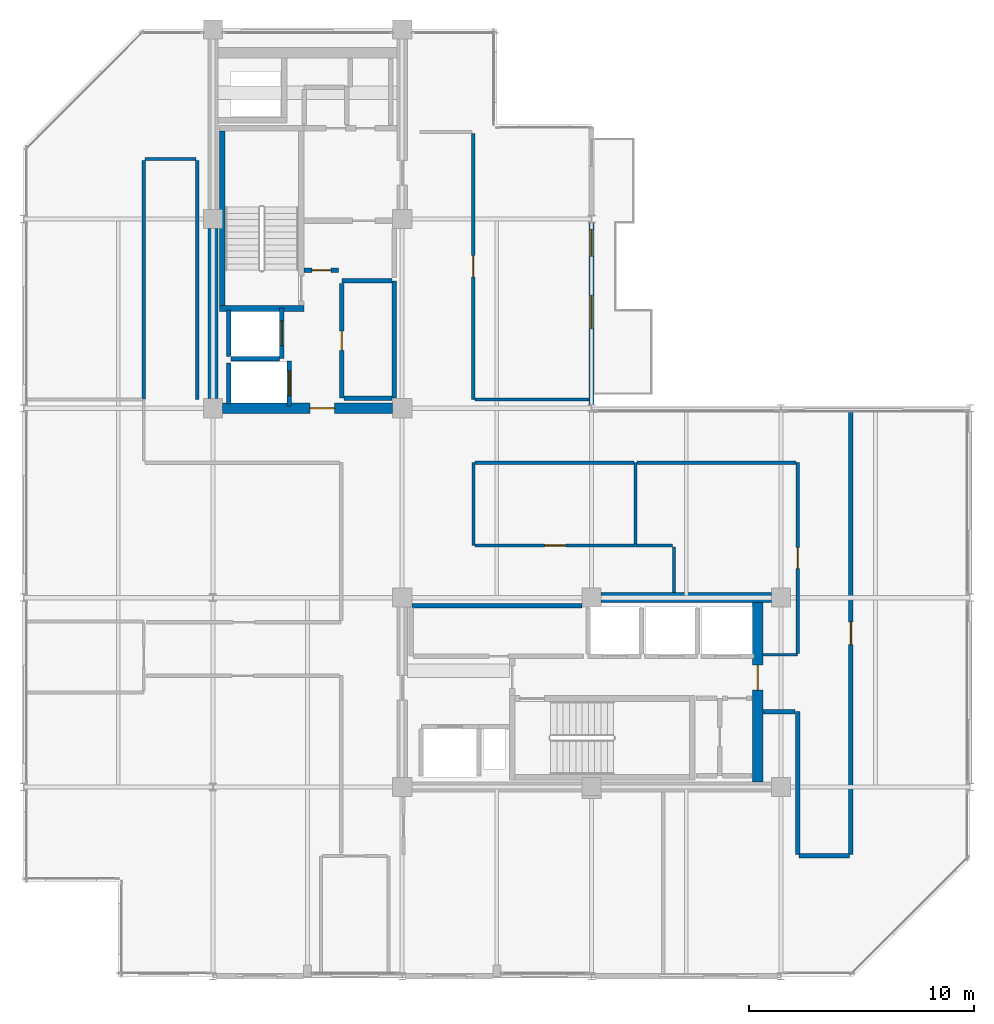
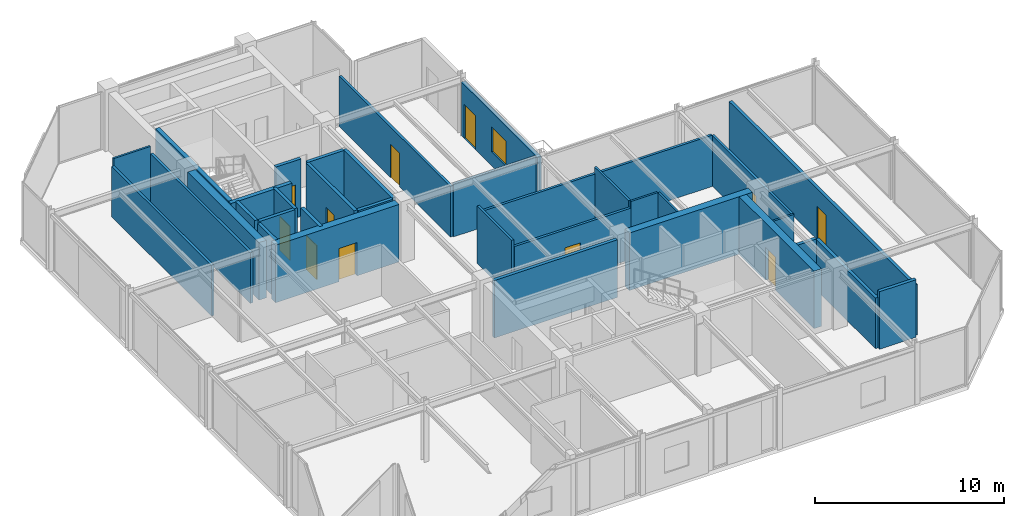
# One storey, part 22 of 26: 36 walls, 11 doors, 1 window, 12 openings.
"""IFC4 building model written with IfcOpenShell, lengths in metres."""

import ifcopenshell
import ifcopenshell.guid

model = None  # the IFC model being written
_history = None  # IfcOwnerHistory: only IFC2X3 demands one
_inside = {}  # id of a spatial element -> (the spatial element, [elements in it])
_under = {}  # id of a project, library or spatial element -> (it, [spatial elements below it])
_declared = {}  # id of a project -> (the project, [libraries it declares])
_typed = {}  # id of a type object -> (the type object, [elements of that type])
_made_of = {}  # id of a material, layer set ... -> (it, [elements and type objects made of it])


def new_model(schema):
    """Start an empty IFC model of exactly this schema.

    Asked for "IFC4X3", IfcOpenShell would pick the latest addendum, in which some entities
    have other attributes; the version numbers below select the first issue.
    IFC2X3 requires an IfcOwnerHistory on every rooted entity: one is made here for all.
    """
    global model, _history
    if schema == "IFC4X3":
        model = ifcopenshell.file(schema_version=(4, 3, 0, 0))
    else:
        model = ifcopenshell.file(schema=schema)
    _inside.clear()
    _under.clear()
    _declared.clear()
    _typed.clear()
    _made_of.clear()
    _history = None
    if model.schema == "IFC2X3":
        org = make("IfcOrganization", Name="unknown")
        user = make(
            "IfcPersonAndOrganization",
            ThePerson=make("IfcPerson", FamilyName="unknown"),
            TheOrganization=org,
        )
        app = make(
            "IfcApplication",
            ApplicationDeveloper=org,
            Version="unknown",
            ApplicationFullName="unknown",
            ApplicationIdentifier="unknown",
        )
        _history = make(
            "IfcOwnerHistory",
            OwningUser=user,
            OwningApplication=app,
            ChangeAction="ADDED",
            CreationDate=0,
        )
    return model


def make(cls, **values):
    """One entity of the class cls with the attributes given. An attribute that is None is left unset."""
    return model.create_entity(
        cls, **{name: value for name, value in values.items() if value is not None}
    )


def rooted(cls, **values):
    """An entity with a GlobalId (a new one), such as an element, a storey or a relation."""
    return make(cls, GlobalId=ifcopenshell.guid.new(), OwnerHistory=_history, **values)


def si_unit(unit_type, name, prefix=None):
    """IfcSIUnit, for example si_unit("LENGTHUNIT", "METRE", prefix="MILLI")."""
    return make("IfcSIUnit", UnitType=unit_type, Prefix=prefix, Name=name)


def assignment(units):
    """IfcUnitAssignment: the units of a project."""
    return None if units is None else make("IfcUnitAssignment", Units=units)


def point(xyz):
    """IfcCartesianPoint."""
    return None if xyz is None else make("IfcCartesianPoint", Coordinates=xyz)


def direction(xyz):
    """IfcDirection."""
    return None if xyz is None else make("IfcDirection", DirectionRatios=xyz)


def frame(location, z_axis=None, x_axis=None):
    """IfcAxis2Placement3D, a coordinate frame: its origin and axes. An axis left out is left unset."""
    return make(
        "IfcAxis2Placement3D",
        Location=point(location),
        Axis=direction(z_axis),
        RefDirection=direction(x_axis),
    )


def frame_2d(location, x_axis=None):
    """IfcAxis2Placement2D, a coordinate frame in the plane: its origin and x axis."""
    return make(
        "IfcAxis2Placement2D", Location=point(location), RefDirection=direction(x_axis)
    )


def origin():
    """The frame at (0, 0, 0) with its axes left unset."""
    return frame((0.0, 0.0, 0.0))


def place(relative_to, where):
    """IfcLocalPlacement: puts the frame where relative to a parent placement (None: the world)."""
    return make(
        "IfcLocalPlacement", PlacementRelTo=relative_to, RelativePlacement=where
    )


def context(
    kind, dimensions, precision=None, world=None, true_north=None, identifier=None
):
    """IfcGeometricRepresentationContext, for example the 3D "Model" context."""
    return make(
        "IfcGeometricRepresentationContext",
        ContextIdentifier=identifier,
        ContextType=kind,
        CoordinateSpaceDimension=dimensions,
        Precision=precision,
        WorldCoordinateSystem=world,
        TrueNorth=true_north,
    )


def subcontext(parent, identifier, kind, view, scale=None):
    """IfcGeometricRepresentationSubContext, for example "Body" below "Model"."""
    return make(
        "IfcGeometricRepresentationSubContext",
        ContextIdentifier=identifier,
        ContextType=kind,
        ParentContext=parent,
        TargetScale=scale,
        TargetView=view,
    )


def project(units=None, contexts=None):
    """IfcProject with its units and contexts."""
    return rooted(
        "IfcProject",
        Name="project",
        RepresentationContexts=contexts,
        UnitsInContext=assignment(units),
    )


def spatial(cls, under=None, at=None, **own):
    """A site, building, storey or space (cls), placed at a placement, below another one or the project."""
    s = rooted(cls, ObjectPlacement=at, **own)
    if under is not None:
        _under.setdefault(under.id(), (under, []))[1].append(s)
    return s


def profile(cls, at=None, kind="AREA", **sizes):
    """A parametric profile (cls). Its sizes go by their IFC names, for example OverallWidth=200.0."""
    return make(cls, ProfileType=kind, Position=at, **sizes)


def rectangle(**sizes):
    """IfcRectangleProfileDef."""
    return profile("IfcRectangleProfileDef", **sizes)


def extrude(swept, where, along, depth):
    """IfcExtrudedAreaSolid: the profile swept, set in the frame where, extruded along a direction by depth."""
    return make(
        "IfcExtrudedAreaSolid",
        SweptArea=swept,
        Position=where,
        ExtrudedDirection=direction(along),
        Depth=depth,
    )


def shape(context_of_items, identifier, shape_type, items):
    """IfcShapeRepresentation: the items that make up one representation, for example the "Body"."""
    return make(
        "IfcShapeRepresentation",
        ContextOfItems=context_of_items,
        RepresentationIdentifier=identifier,
        RepresentationType=shape_type,
        Items=items,
    )


def material(Name=None, Category=None):
    """IfcMaterial."""
    return make("IfcMaterial", Name=Name, Category=Category)


def layer(
    of_material, thickness, ventilated=None, Name=None, Category=None, Priority=None
):
    """IfcMaterialLayer: one layer of a wall or slab, of a material (None: an air gap)."""
    return make(
        "IfcMaterialLayer",
        Material=of_material,
        LayerThickness=thickness,
        IsVentilated=ventilated,
        Name=Name,
        Category=Category,
        Priority=Priority,
    )


def layer_set(layers, Name=None):
    """IfcMaterialLayerSet."""
    return make("IfcMaterialLayerSet", MaterialLayers=layers, LayerSetName=Name)


def made_of(thing, what):
    """Note that an element or type object is made of a material, layer set ...; save() writes the relation."""
    if what is not None:
        _made_of.setdefault(what.id(), (what, []))[1].append(thing)
    return thing


def type_object(cls, material=None, **own):
    """A type object (cls), such as IfcWallType, which elements share."""
    return made_of(rooted(cls, **own), material)


def element(
    cls,
    number,
    at=None,
    inside=None,
    cuts=None,
    type_object=None,
    material=None,
    context=None,
    identifier="Body",
    shape_type=None,
    held_by="IfcProductDefinitionShape",
    body=None,
    shapes=None,
    **own,
):
    """One element of the class cls, such as IfcWall. Its Tag is "e" and its number.

    at: its placement. inside: the storey or other place that contains it. cuts: it is an
    opening in that element (IfcRelVoidsElement). A single representation is given by context,
    identifier, shape_type and body (its items); several are given by shapes. held_by: the class
    of the entity that holds the representations. save() writes the other relations.
    """
    e = rooted(cls, Tag="e%d" % number, ObjectPlacement=at, **own)
    if body is not None:
        shapes = [shape(context, identifier, shape_type, body)]
    if shapes is not None:
        e.Representation = make(held_by, Representations=shapes)
    if inside is not None:
        _inside.setdefault(inside.id(), (inside, []))[1].append(e)
    if cuts is not None:
        rooted(
            "IfcRelVoidsElement", RelatingBuildingElement=cuts, RelatedOpeningElement=e
        )
    if type_object is not None:
        _typed.setdefault(type_object.id(), (type_object, []))[1].append(e)
    return made_of(e, material)


def fill(opening, filler):
    """IfcRelFillsElement: the door or window that sits in an opening."""
    return rooted(
        "IfcRelFillsElement",
        RelatingOpeningElement=opening,
        RelatedBuildingElement=filler,
    )


def aggregate(whole, parts):
    """IfcRelAggregates: a whole, such as a stair, and the parts it consists of."""
    return rooted("IfcRelAggregates", RelatingObject=whole, RelatedObjects=parts)


def save(model, path):
    """Write the relations noted so far, then the file.

    IfcRelAggregates (storeys below a building ...), IfcRelContainedInSpatialStructure (elements
    in a storey), IfcRelDefinesByType, IfcRelAssociatesMaterial and IfcRelDeclares: one each for
    every whole, place, type object, material and project.
    """
    for whole, parts in _under.values():
        aggregate(whole, parts)
    for where, things in _inside.values():
        rooted(
            "IfcRelContainedInSpatialStructure",
            RelatedElements=things,
            RelatingStructure=where,
        )
    for kind, things in _typed.values():
        rooted("IfcRelDefinesByType", RelatedObjects=things, RelatingType=kind)
    for what, things in _made_of.values():
        rooted("IfcRelAssociatesMaterial", RelatedObjects=things, RelatingMaterial=what)
    for by, libraries in _declared.values():
        rooted("IfcRelDeclares", RelatingContext=by, RelatedDefinitions=libraries)
    model.write(path)


model = new_model("IFC4")

# Units and contexts
model_context = context("Model", 3, precision=1e-05, world=origin(), true_north=direction((0.0, 1.0)))
body_context = subcontext(model_context, "Body", "Model", "MODEL_VIEW")
ifc_project = project(units=[si_unit("LENGTHUNIT", "METRE"), si_unit("AREAUNIT", "SQUARE_METRE"), si_unit("VOLUMEUNIT", "CUBIC_METRE"), si_unit("PLANEANGLEUNIT", "RADIAN"), si_unit("MASSUNIT", "GRAM", prefix="KILO")], contexts=[model_context])

# Site, building, storey
site_placement = place(None, origin())
site = spatial("IfcSite", under=ifc_project, at=site_placement, CompositionType="ELEMENT")
building_placement = place(site_placement, origin())
building = spatial("IfcBuilding", under=site, at=building_placement, Name="Nerrivon Quay Data Exchange", CompositionType="ELEMENT")
storey_placement = place(building_placement, frame((0.0, 0.0, 262.199951171875)))
storey = spatial("IfcBuildingStorey", under=building, at=storey_placement, Name="L62", CompositionType="ELEMENT", Elevation=262.199951171875)

# Wall, openings, door, window
ifc_material_1 = material(Name="Architectural terracotta precast concrete N50 (50 MPa)", Category="masonry")
ifc_layer_1 = layer(ifc_material_1, 0.239990234375)
ifc_layer_set_1 = layer_set([ifc_layer_1], Name="Architectural terracotta precast concrete N50 (50 MPa)")
wall_type_1 = type_object("IfcWallType", Name="EW-PREC-240", PredefinedType="STANDARD", material=ifc_layer_set_1)
wall_1_placement = place(storey_placement, frame((25.199951171875, 33.4365234375, 0.0), z_axis=(0.0, 0.0, 1.0), x_axis=(0.0, -1.0, 0.0)))
wall_1 = element("IfcWall", 1, at=wall_1_placement, inside=storey, type_object=wall_type_1, Name="L62 Terrace Host Wall 23", PredefinedType="STANDARD", context=body_context, shape_type="SweptSolid", body=[
    extrude(rectangle(XDim=8.072998046875, YDim=0.239990234375, at=frame_2d((4.03662109375, 0.0))), origin(), (0.0, 0.0, 1.0), 3.47509765625),
])
opening_1_placement = place(wall_1_placement, frame((0.300048828125, 0.0, 0.0)))
opening_1 = element("IfcOpeningElement", 2, at=opening_1_placement, cuts=wall_1, Name="Opening TD1", PredefinedType="OPENING", context=body_context, shape_type="SweptSolid", body=[
    extrude(rectangle(XDim=1.199951171875, YDim=2.199951171875, at=frame_2d((0.60009765625, 1.10009765625))), frame((0.0, 0.1298828125, 0.0), z_axis=(0.0, -1.0, 0.0), x_axis=(1.0, 0.0, 0.0)), (0.0, 0.0, 1.0), 0.260009765625),
])
opening_2_placement = place(wall_1_placement, frame((3.21435546875, 0.0, 0.89990234375)))
opening_2 = element("IfcOpeningElement", 3, at=opening_2_placement, cuts=wall_1, Name="Opening WN4", PredefinedType="OPENING", context=body_context, shape_type="SweptSolid", body=[
    extrude(rectangle(XDim=1.5, YDim=1.60009765625, at=frame_2d((0.75, 0.800048828125))), frame((0.0, 0.1298828125, 0.0), z_axis=(0.0, -1.0, 0.0), x_axis=(1.0, 0.0, 0.0)), (0.0, 0.0, 1.0), 0.260009765625),
])
ifc_material_2 = material(Name="Double-glazed low-E solar control glass", Category="glass")
door_type_1 = type_object("IfcDoorType", Name="DR-TERR-1200x2200", OperationType="NOTDEFINED", PredefinedType="DOOR", material=ifc_material_2)
door_1_placement = place(opening_1_placement, origin())
door_1 = element("IfcDoor", 4, at=door_1_placement, inside=storey, type_object=door_type_1, Name="L62 Outdoor Terrace Access Door 23", OperationType="SINGLE_SWING_RIGHT", OverallHeight=2.199951171875, OverallWidth=1.199951171875, PredefinedType="DOOR", context=body_context, shape_type="SweptSolid", body=[
    extrude(rectangle(XDim=1.199951171875, YDim=2.199951171875, at=frame_2d((0.60009765625, 1.10009765625))), frame((0.0, 0.02490234375, 0.0), z_axis=(0.0, -1.0, 0.0), x_axis=(1.0, 0.0, 0.0)), (0.0, 0.0, 1.0), 0.050048828125),
])
fill(opening_1, door_1)
window_type = type_object("IfcWindowType", Name="WIN-W4-1500x1600", PartitioningType="SINGLE_PANEL", PredefinedType="WINDOW", material=ifc_material_2)
window_placement = place(opening_2_placement, origin())
window = element("IfcWindow", 5, at=window_placement, inside=storey, type_object=window_type, Name="L62 Terrace Side Window 23", OverallHeight=1.60009765625, OverallWidth=1.5, PartitioningType="SINGLE_PANEL", PredefinedType="WINDOW", context=body_context, shape_type="SweptSolid", body=[
    extrude(rectangle(XDim=1.5, YDim=1.60009765625, at=frame_2d((0.75, 0.800048828125))), frame((0.0, 0.030029296875, 0.0), z_axis=(0.0, -1.0, 0.0), x_axis=(1.0, 0.0, 0.0)), (0.0, 0.0, 1.0), 0.06005859375),
])
fill(opening_2, window)

# Wall
ifc_material_3 = material(Name="Concrete N50 (50 MPa)", Category="concrete")
ifc_layer_2 = layer(ifc_material_3, 0.449951171875)
ifc_layer_set_2 = layer_set([ifc_layer_2], Name="Concrete N50 (50 MPa)")
wall_type_2 = type_object("IfcWallType", Name="WALL-CW-550", PredefinedType="SHEAR", material=ifc_layer_set_2)
wall_2_placement = place(storey_placement, frame((8.39990234375, 25.625, 0.0), z_axis=(0.0, 0.0, 1.0), x_axis=(0.0, 1.0, 0.0)))
element("IfcWall", 6, at=wall_2_placement, inside=storey, type_object=wall_type_2, Name="L62 West Split-Core Shear Wall WCW-W1", PredefinedType="SHEAR", context=body_context, shape_type="SweptSolid", body=[
    extrude(rectangle(XDim=7.550048828125, YDim=0.449951171875, at=frame_2d((3.77490234375, 0.0))), origin(), (0.0, 0.0, 1.0), 3.72509765625),
])

# Wall, opening, door
wall_3_placement = place(storey_placement, frame((8.824951171875, 25.199951171875, 0.0), z_axis=(0.0, 0.0, 1.0), x_axis=(1.0, 0.0, 0.0)))
wall_3 = element("IfcWall", 7, at=wall_3_placement, inside=storey, type_object=wall_type_2, Name="L62 West Split-Core Shear Wall WCW-S1", PredefinedType="SHEAR", context=body_context, shape_type="SweptSolid", body=[
    extrude(rectangle(XDim=7.550048828125, YDim=0.449951171875, at=frame_2d((3.77490234375, 0.0))), origin(), (0.0, 0.0, 1.0), 3.72509765625),
])
opening_3_placement = place(wall_3_placement, frame((3.875, 0.0, 0.0)))
opening_3 = element("IfcOpeningElement", 8, at=opening_3_placement, cuts=wall_3, Name="Opening FD-120", PredefinedType="OPENING", context=body_context, shape_type="SweptSolid", body=[
    extrude(rectangle(XDim=1.10009765625, YDim=2.14990234375, at=frame_2d((0.550048828125, 1.074951171875))), frame((0.0, 0.23486328125, 0.0), z_axis=(0.0, -1.0, 0.0), x_axis=(1.0, 0.0, 0.0)), (0.0, 0.0, 1.0), 0.469970703125),
])
ifc_material_4 = material(Name="Powder-coated galvanized steel sheet", Category="steel")
door_type_2 = type_object("IfcDoorType", Name="DR-FD120-1100", OperationType="NOTDEFINED", PredefinedType="DOOR", material=ifc_material_4)
door_2_placement = place(opening_3_placement, origin())
door_2 = element("IfcDoor", 9, at=door_2_placement, inside=storey, type_object=door_type_2, Name="L62 West Core Lobby Fire Door", OperationType="SINGLE_SWING_RIGHT", OverallHeight=2.14990234375, OverallWidth=1.10009765625, PredefinedType="DOOR", context=body_context, shape_type="SweptSolid", body=[
    extrude(rectangle(XDim=1.10009765625, YDim=2.14990234375, at=frame_2d((0.550048828125, 1.074951171875))), frame((0.0, 0.02490234375, 0.0), z_axis=(0.0, -1.0, 0.0), x_axis=(1.0, 0.0, 0.0)), (0.0, 0.0, 1.0), 0.050048828125),
])
fill(opening_3, door_2)

wall_4_placement = place(storey_placement, frame((32.574951171875, 8.625, 0.0), z_axis=(0.0, 0.0, 1.0), x_axis=(0.0, 1.0, 0.0)))
wall_4 = element("IfcWall", 10, at=wall_4_placement, inside=storey, type_object=wall_type_2, Name="L62 East Split-Core Shear Wall ECW-E1", PredefinedType="SHEAR", context=body_context, shape_type="SweptSolid", body=[
    extrude(rectangle(XDim=7.949951171875, YDim=0.449951171875, at=frame_2d((3.97509765625, 0.0))), origin(), (0.0, 0.0, 1.0), 3.72509765625),
])
opening_4_placement = place(wall_4_placement, frame((4.074951171875, 0.0, 0.0)))
opening_4 = element("IfcOpeningElement", 11, at=opening_4_placement, cuts=wall_4, Name="Opening FD-120", PredefinedType="OPENING", context=body_context, shape_type="SweptSolid", body=[
    extrude(rectangle(XDim=1.10009765625, YDim=2.14990234375, at=frame_2d((0.550048828125, 1.074951171875))), frame((0.0, 0.23486328125, 0.0), z_axis=(0.0, -1.0, 0.0), x_axis=(1.0, 0.0, 0.0)), (0.0, 0.0, 1.0), 0.469970703125),
])
door_3_placement = place(opening_4_placement, origin())
door_3 = element("IfcDoor", 12, at=door_3_placement, inside=storey, type_object=door_type_2, Name="L62 East Core Lobby Fire Door", OperationType="SINGLE_SWING_LEFT", OverallHeight=2.14990234375, OverallWidth=1.10009765625, PredefinedType="DOOR", context=body_context, shape_type="SweptSolid", body=[
    extrude(rectangle(XDim=1.10009765625, YDim=2.14990234375, at=frame_2d((0.550048828125, 1.074951171875))), frame((0.0, 0.02490234375, 0.0), z_axis=(0.0, -1.0, 0.0), x_axis=(1.0, 0.0, 0.0)), (0.0, 0.0, 1.0), 0.050048828125),
])
fill(opening_4, door_3)

# Wall
wall_5_placement = place(storey_placement, frame((25.625, 16.800048828125, 0.0), z_axis=(0.0, 0.0, 1.0), x_axis=(1.0, 0.0, 0.0)))
element("IfcWall", 13, at=wall_5_placement, inside=storey, type_object=wall_type_2, Name="L62 East Split-Core Shear Wall ECW-N1", PredefinedType="SHEAR", context=body_context, shape_type="SweptSolid", body=[
    extrude(rectangle(XDim=7.550048828125, YDim=0.449951171875, at=frame_2d((3.77490234375, 0.0))), origin(), (0.0, 0.0, 1.0), 3.72509765625),
])

# Wall, opening, door
ifc_material_5 = material(Name="Gypsum plasterboard on cold-formed framing", Category="gypsum")
ifc_layer_3 = layer(ifc_material_5, 0.199951171875)
ifc_layer_set_3 = layer_set([ifc_layer_3], Name="Gypsum plasterboard on cold-formed framing")
wall_type_3 = type_object("IfcWallType", Name="WALL-FW-200", PredefinedType="PARTITIONING", material=ifc_layer_set_3)
wall_6_placement = place(storey_placement, frame((11.449951171875, 27.39990234375, 0.0), z_axis=(0.0, 0.0, 1.0), x_axis=(0.0, 1.0, 0.0)))
wall_6 = element("IfcWall", 14, at=wall_6_placement, inside=storey, type_object=wall_type_3, Name="L62 Lift Front Wall FFL-1", PredefinedType="PARTITIONING", context=body_context, shape_type="SweptSolid", body=[
    extrude(rectangle(XDim=2.25, YDim=0.199951171875, at=frame_2d((1.125, 0.0))), origin(), (0.0, 0.0, 1.0), 3.72509765625),
])
opening_5_placement = place(wall_6_placement, frame((0.574951171875, 0.0, 0.0)))
opening_5 = element("IfcOpeningElement", 15, at=opening_5_placement, cuts=wall_6, Name="Opening LD-120", PredefinedType="OPENING", context=body_context, shape_type="SweptSolid", body=[
    extrude(rectangle(XDim=1.10009765625, YDim=2.199951171875, at=frame_2d((0.550048828125, 1.10009765625))), frame((0.0, 0.10986328125, 0.0), z_axis=(0.0, -1.0, 0.0), x_axis=(1.0, 0.0, 0.0)), (0.0, 0.0, 1.0), 0.219970703125),
])
door_type_3 = type_object("IfcDoorType", Name="DR-LIFT-LD120", OperationType="DOUBLE_DOOR_SLIDING", PredefinedType="DOOR", material=ifc_material_4)
door_4_placement = place(opening_5_placement, origin())
door_4 = element("IfcDoor", 16, at=door_4_placement, inside=storey, type_object=door_type_3, Name="L62 Lift Landing Sliding Door FFL-1", OperationType="DOUBLE_DOOR_SLIDING", OverallHeight=2.199951171875, OverallWidth=1.10009765625, PredefinedType="DOOR", context=body_context, shape_type="SweptSolid", body=[
    extrude(rectangle(XDim=1.10009765625, YDim=2.199951171875, at=frame_2d((0.550048828125, 1.10009765625))), frame((0.0, 0.02490234375, 0.0), z_axis=(0.0, -1.0, 0.0), x_axis=(1.0, 0.0, 0.0)), (0.0, 0.0, 1.0), 0.050048828125),
])
fill(opening_5, door_4)

# Walls
wall_7_placement = place(storey_placement, frame((9.10009765625, 27.5, 0.0), z_axis=(0.0, 0.0, 1.0), x_axis=(0.0, 1.0, 0.0)))
element("IfcWall", 17, at=wall_7_placement, inside=storey, type_object=wall_type_3, Name="L62 Lift Shaft Wall FFL-1 WEST", PredefinedType="PARTITIONING", context=body_context, shape_type="SweptSolid", body=[
    extrude(rectangle(XDim=2.050048828125, YDim=0.199951171875, at=frame_2d((1.02490234375, 0.0))), origin(), (0.0, 0.0, 1.0), 3.72509765625),
])
wall_8_placement = place(storey_placement, frame((9.199951171875, 27.39990234375, 0.0), z_axis=(0.0, 0.0, 1.0), x_axis=(1.0, 0.0, 0.0)))
element("IfcWall", 18, at=wall_8_placement, inside=storey, type_object=wall_type_3, Name="L62 Lift Shaft Wall FFL-1 SOUTH", PredefinedType="PARTITIONING", context=body_context, shape_type="SweptSolid", body=[
    extrude(rectangle(XDim=2.150146484375, YDim=0.199951171875, at=frame_2d((1.0751953125, 0.0))), origin(), (0.0, 0.0, 1.0), 3.72509765625),
])

# Wall, opening, door
wall_9_placement = place(storey_placement, frame((11.800048828125, 25.300048828125, 0.0), z_axis=(0.0, 0.0, 1.0), x_axis=(0.0, 1.0, 0.0)))
wall_9 = element("IfcWall", 19, at=wall_9_placement, inside=storey, type_object=wall_type_3, Name="L62 Lift Front Wall SVL-1", PredefinedType="PARTITIONING", context=body_context, shape_type="SweptSolid", body=[
    extrude(rectangle(XDim=2.0, YDim=0.199951171875, at=frame_2d((1.0, 0.0))), origin(), (0.0, 0.0, 1.0), 3.72509765625),
])
opening_6_placement = place(wall_9_placement, frame((0.449951171875, 0.0, 0.0)))
opening_6 = element("IfcOpeningElement", 20, at=opening_6_placement, cuts=wall_9, Name="Opening LD-120", PredefinedType="OPENING", context=body_context, shape_type="SweptSolid", body=[
    extrude(rectangle(XDim=1.10009765625, YDim=2.199951171875, at=frame_2d((0.550048828125, 1.10009765625))), frame((0.0, 0.10986328125, 0.0), z_axis=(0.0, -1.0, 0.0), x_axis=(1.0, 0.0, 0.0)), (0.0, 0.0, 1.0), 0.219970703125),
])
door_5_placement = place(opening_6_placement, origin())
door_5 = element("IfcDoor", 21, at=door_5_placement, inside=storey, type_object=door_type_3, Name="L62 Lift Landing Sliding Door SVL-1", OperationType="DOUBLE_DOOR_SLIDING", OverallHeight=2.199951171875, OverallWidth=1.10009765625, PredefinedType="DOOR", context=body_context, shape_type="SweptSolid", body=[
    extrude(rectangle(XDim=1.10009765625, YDim=2.199951171875, at=frame_2d((0.550048828125, 1.10009765625))), frame((0.0, 0.02490234375, 0.0), z_axis=(0.0, -1.0, 0.0), x_axis=(1.0, 0.0, 0.0)), (0.0, 0.0, 1.0), 0.050048828125),
])
fill(opening_6, door_5)

# Walls
wall_10_placement = place(storey_placement, frame((9.10009765625, 25.39990234375, 0.0), z_axis=(0.0, 0.0, 1.0), x_axis=(0.0, 1.0, 0.0)))
element("IfcWall", 22, at=wall_10_placement, inside=storey, type_object=wall_type_3, Name="L62 Lift Shaft Wall SVL-1 WEST", PredefinedType="PARTITIONING", context=body_context, shape_type="SweptSolid", body=[
    extrude(rectangle(XDim=1.800048828125, YDim=0.199951171875, at=frame_2d((0.89990234375, 0.0))), origin(), (0.0, 0.0, 1.0), 3.72509765625),
])
wall_11_placement = place(storey_placement, frame((16.449951171875, 25.64990234375, 0.0), z_axis=(0.0, 0.0, 1.0), x_axis=(0.0, 1.0, 0.0)))
element("IfcWall", 23, at=wall_11_placement, inside=storey, type_object=wall_type_3, Name="L62 Partition Fibre Patch Store", PredefinedType="PARTITIONING", context=body_context, shape_type="SweptSolid", body=[
    extrude(rectangle(XDim=5.2001953125, YDim=0.199951171875, at=frame_2d((2.60009765625, 0.0))), origin(), (0.0, 0.0, 1.0), 3.72509765625),
])
wall_12_placement = place(storey_placement, frame((16.345947265625, 30.85009765625, 0.0), z_axis=(0.0, 0.0, 1.0), x_axis=(-1.0, 0.0, 0.0)))
element("IfcWall", 24, at=wall_12_placement, inside=storey, type_object=wall_type_3, Name="L62 Partition Fibre Patch Store", PredefinedType="PARTITIONING", context=body_context, shape_type="SweptSolid", body=[
    extrude(rectangle(XDim=2.225830078125, YDim=0.199951171875, at=frame_2d((1.11279296875, 0.0))), origin(), (0.0, 0.0, 1.0), 3.72509765625),
])

# Wall, opening, door
wall_13_placement = place(storey_placement, frame((14.1201171875, 30.74609375, 0.0), z_axis=(0.0, 0.0, 1.0), x_axis=(0.0, -1.0, 0.0)))
wall_13 = element("IfcWall", 25, at=wall_13_placement, inside=storey, type_object=wall_type_3, Name="L62 Partition Fibre Patch Store", PredefinedType="PARTITIONING", context=body_context, shape_type="SweptSolid", body=[
    extrude(rectangle(XDim=5.09619140625, YDim=0.199951171875, at=frame_2d((2.548095703125, 0.0))), origin(), (0.0, 0.0, 1.0), 3.72509765625),
])
opening_7_placement = place(wall_13_placement, frame((2.123046875, 0.0, 0.0)))
opening_7 = element("IfcOpeningElement", 26, at=opening_7_placement, cuts=wall_13, Name="Opening FD-60S", PredefinedType="OPENING", context=body_context, shape_type="SweptSolid", body=[
    extrude(rectangle(XDim=0.85009765625, YDim=2.14990234375, at=frame_2d((0.425048828125, 1.074951171875))), frame((0.0, 0.10986328125, 0.0), z_axis=(0.0, -1.0, 0.0), x_axis=(1.0, 0.0, 0.0)), (0.0, 0.0, 1.0), 0.219970703125),
])
ifc_material_6 = material(Name="Engineered hardwood timber", Category="wood")
door_type_4 = type_object("IfcDoorType", Name="DR-FD60-850", OperationType="NOTDEFINED", PredefinedType="DOOR", material=ifc_material_6)
door_6_placement = place(opening_7_placement, origin())
door_6 = element("IfcDoor", 27, at=door_6_placement, inside=storey, type_object=door_type_4, Name="L62 Door Fibre Patch Store", OperationType="SINGLE_SWING_LEFT", OverallHeight=2.14990234375, OverallWidth=0.85009765625, PredefinedType="DOOR", context=body_context, shape_type="SweptSolid", body=[
    extrude(rectangle(XDim=0.85009765625, YDim=2.14990234375, at=frame_2d((0.425048828125, 1.074951171875))), frame((0.0, 0.02490234375, 0.0), z_axis=(0.0, -1.0, 0.0), x_axis=(1.0, 0.0, 0.0)), (0.0, 0.0, 1.0), 0.050048828125),
])
fill(opening_7, door_6)

# Wall
wall_14_placement = place(storey_placement, frame((14.22412109375, 25.64990234375, 0.0), z_axis=(0.0, 0.0, 1.0), x_axis=(1.0, 0.0, 0.0)))
element("IfcWall", 28, at=wall_14_placement, inside=storey, type_object=wall_type_3, Name="L62 Partition Fibre Patch Store", PredefinedType="PARTITIONING", context=body_context, shape_type="SweptSolid", body=[
    extrude(rectangle(XDim=2.121826171875, YDim=0.199951171875, at=frame_2d((1.06103515625, 0.0))), origin(), (0.0, 0.0, 1.0), 3.72509765625),
])

# Wall, opening, door
wall_15_placement = place(storey_placement, frame((12.4541015625, 31.320068359375, 0.0), z_axis=(0.0, 0.0, 1.0), x_axis=(0.999999949061, -0.000319182876, 0.0)))
wall_15 = element("IfcWall", 29, at=wall_15_placement, inside=storey, type_object=wall_type_3, Name="L62 Partition Core Equipment Closet", PredefinedType="PARTITIONING", context=body_context, shape_type="SweptSolid", body=[
    extrude(rectangle(XDim=1.52978515625, YDim=0.199951171875, at=frame_2d((0.764892578125, 0.0))), origin(), (0.0, 0.0, 1.0), 3.72509765625),
])
opening_8_placement = place(wall_15_placement, frame((0.340087890625, 0.0, 0.0)))
opening_8 = element("IfcOpeningElement", 30, at=opening_8_placement, cuts=wall_15, Name="Opening FD-60S", PredefinedType="OPENING", context=body_context, shape_type="SweptSolid", body=[
    extrude(rectangle(XDim=0.85009765625, YDim=2.14990234375, at=frame_2d((0.425048828125, 1.074951171875))), frame((0.0, 0.10986328125, 0.0), z_axis=(0.0, -1.0, 0.0), x_axis=(1.0, 0.0, 0.0)), (0.0, 0.0, 1.0), 0.219970703125),
])
door_7_placement = place(opening_8_placement, origin())
door_7 = element("IfcDoor", 31, at=door_7_placement, inside=storey, type_object=door_type_4, Name="L62 Door Core Equipment Closet", OperationType="SINGLE_SWING_RIGHT", OverallHeight=2.14990234375, OverallWidth=0.85009765625, PredefinedType="DOOR", context=body_context, shape_type="SweptSolid", body=[
    extrude(rectangle(XDim=0.85009765625, YDim=2.14990234375, at=frame_2d((0.425048828125, 1.074951171875))), frame((0.0, 0.02490234375, 0.0), z_axis=(0.0, -1.0, 0.0), x_axis=(1.0, 0.0, 0.0)), (0.0, 0.0, 1.0), 0.050048828125),
])
fill(opening_8, door_7)

# Wall
wall_16_placement = place(storey_placement, frame((24.77001953125, 16.449951171875, 0.0), z_axis=(0.0, 0.0, 1.0), x_axis=(-1.0, 0.0, 0.0)))
element("IfcWall", 32, at=wall_16_placement, inside=storey, type_object=wall_type_3, Name="L62 Partition High-Zone Patching Archive", PredefinedType="PARTITIONING", context=body_context, shape_type="SweptSolid", body=[
    extrude(rectangle(XDim=7.5400390625, YDim=0.199951171875, at=frame_2d((3.77001953125, 0.0))), origin(), (0.0, 0.0, 1.0), 3.72509765625),
])

# Wall, opening, door
wall_17_placement = place(storey_placement, frame((36.7099609375, 25.031005859375, 0.0), z_axis=(0.0, 0.0, 1.0), x_axis=(0.0, -1.0, 0.0)))
wall_17 = element("IfcWall", 33, at=wall_17_placement, inside=storey, type_object=wall_type_3, Name="L62 Partition Colocation Data Workspace 1", PredefinedType="PARTITIONING", context=body_context, shape_type="SweptSolid", body=[
    extrude(rectangle(XDim=19.631103515625, YDim=0.199951171875, at=frame_2d((9.8154296875, 0.0))), origin(), (0.0, 0.0, 1.0), 3.27099609375),
])
opening_9_placement = place(wall_17_placement, frame((9.3154296875, 0.0, 0.0)))
opening_9 = element("IfcOpeningElement", 34, at=opening_9_placement, cuts=wall_17, Name="Opening FD-60", PredefinedType="OPENING", context=body_context, shape_type="SweptSolid", body=[
    extrude(rectangle(XDim=1.0, YDim=2.14990234375, at=frame_2d((0.5, 1.074951171875))), frame((0.0, 0.10986328125, 0.0), z_axis=(0.0, -1.0, 0.0), x_axis=(1.0, 0.0, 0.0)), (0.0, 0.0, 1.0), 0.219970703125),
])
door_type_5 = type_object("IfcDoorType", Name="DR-FD60-1000", OperationType="NOTDEFINED", PredefinedType="DOOR", material=ifc_material_6)
door_8_placement = place(opening_9_placement, origin())
door_8 = element("IfcDoor", 35, at=door_8_placement, inside=storey, type_object=door_type_5, Name="L62 Door Colocation Data Workspace 1", OperationType="SINGLE_SWING_RIGHT", OverallHeight=2.14990234375, OverallWidth=1.0, PredefinedType="DOOR", context=body_context, shape_type="SweptSolid", body=[
    extrude(rectangle(XDim=1.0, YDim=2.14990234375, at=frame_2d((0.5, 1.074951171875))), frame((0.0, 0.02490234375, 0.0), z_axis=(0.0, -1.0, 0.0), x_axis=(1.0, 0.0, 0.0)), (0.0, 0.0, 1.0), 0.050048828125),
])
fill(opening_9, door_8)

# Walls
wall_18_placement = place(storey_placement, frame((36.64990234375, 5.340087890625, 0.0), z_axis=(0.0, 0.0, 1.0), x_axis=(-1.0, 0.0, 0.0)))
element("IfcWall", 36, at=wall_18_placement, inside=storey, type_object=wall_type_3, Name="L62 Partition Colocation Data Workspace 1", PredefinedType="PARTITIONING", context=body_context, shape_type="SweptSolid", body=[
    extrude(rectangle(XDim=2.25, YDim=0.199951171875, at=frame_2d((1.125, 0.0))), origin(), (0.0, 0.0, 1.0), 3.72509765625),
])
wall_19_placement = place(storey_placement, frame((34.340087890625, 5.39990234375, 0.0), z_axis=(0.0, 0.0, 1.0), x_axis=(0.0, 1.0, 0.0)))
element("IfcWall", 37, at=wall_19_placement, inside=storey, type_object=wall_type_3, Name="L62 Partition Colocation Data Workspace 1", PredefinedType="PARTITIONING", context=body_context, shape_type="SweptSolid", body=[
    extrude(rectangle(XDim=6.340087890625, YDim=0.199951171875, at=frame_2d((3.169921875, 0.0))), origin(), (0.0, 0.0, 1.0), 3.27099609375),
])
wall_20_placement = place(storey_placement, frame((34.236083984375, 11.739990234375, 0.0), z_axis=(0.0, 0.0, 1.0), x_axis=(-1.0, 0.0, 0.0)))
element("IfcWall", 38, at=wall_20_placement, inside=storey, type_object=wall_type_3, Name="L62 Partition Colocation Data Workspace 1", PredefinedType="PARTITIONING", context=body_context, shape_type="SweptSolid", body=[
    extrude(rectangle(XDim=1.43212890625, YDim=0.199951171875, at=frame_2d((0.716064453125, 0.0))), origin(), (0.0, 0.0, 1.0), 3.319091796875),
])
ifc_layer_4 = layer(ifc_material_5, 0.1201171875)
ifc_layer_set_4 = layer_set([ifc_layer_4], Name="Gypsum plasterboard on cold-formed framing")
wall_type_4 = type_object("IfcWallType", Name="WALL-PT-120", PredefinedType="PARTITIONING", material=ifc_layer_set_4)
wall_21_placement = place(storey_placement, frame((28.860107421875, 19.050048828125, 0.0), z_axis=(0.0, 0.0, 1.0), x_axis=(0.0, -1.0, 0.0)))
element("IfcWall", 39, at=wall_21_placement, inside=storey, type_object=wall_type_4, Name="L62 Partition Network Security Control", PredefinedType="PARTITIONING", context=body_context, shape_type="SweptSolid", body=[
    extrude(rectangle(XDim=2.02099609375, YDim=0.1201171875, at=frame_2d((1.010498046875, 0.0))), origin(), (0.0, 0.0, 1.0), 3.72509765625),
])
wall_22_placement = place(storey_placement, frame((32.803955078125, 14.260009765625, 0.0), z_axis=(0.0, 0.0, 1.0), x_axis=(1.0, 0.0, 0.0)))
element("IfcWall", 40, at=wall_22_placement, inside=storey, type_object=wall_type_4, Name="L62 Partition Network Security Control", PredefinedType="PARTITIONING", context=body_context, shape_type="SweptSolid", body=[
    extrude(rectangle(XDim=1.5361328125, YDim=0.1201171875, at=frame_2d((0.76806640625, 0.0))), origin(), (0.0, 0.0, 1.0), 3.319091796875),
])
wall_23_placement = place(storey_placement, frame((27.169921875, 19.110107421875, 0.0), z_axis=(0.0, 0.0, 1.0), x_axis=(1.0, 0.0, 0.0)))
element("IfcWall", 41, at=wall_23_placement, inside=storey, type_object=wall_type_4, Name="L62 Partition Network Security Control", PredefinedType="PARTITIONING", context=body_context, shape_type="SweptSolid", body=[
    extrude(rectangle(XDim=1.630126953125, YDim=0.1201171875, at=frame_2d((0.81494140625, 0.0))), origin(), (0.0, 0.0, 1.0), 3.72509765625),
])
wall_24_placement = place(storey_placement, frame((5.39990234375, 36.260009765625, 0.0), z_axis=(0.0, 0.0, 1.0), x_axis=(1.0, 0.0, 0.0)))
element("IfcWall", 42, at=wall_24_placement, inside=storey, type_object=wall_type_4, Name="L62 Partition Technical Library", PredefinedType="PARTITIONING", context=body_context, shape_type="SweptSolid", body=[
    extrude(rectangle(XDim=2.25, YDim=0.1201171875, at=frame_2d((1.125, 0.0))), origin(), (0.0, 0.0, 1.0), 3.72509765625),
])
ifc_layer_5 = layer(ifc_material_5, 0.135009765625)
ifc_layer_set_5 = layer_set([ifc_layer_5], Name="Gypsum plasterboard on cold-formed framing")
wall_type_5 = type_object("IfcWallType", Name="WALL-PT-135", PredefinedType="PARTITIONING", material=ifc_layer_set_5)
wall_25_placement = place(storey_placement, frame((19.9599609375, 22.7900390625, 0.0), z_axis=(0.0, 0.0, 1.0), x_axis=(0.0, -1.0, 0.0)))
element("IfcWall", 43, at=wall_25_placement, inside=storey, type_object=wall_type_5, Name="L62 Partition Staff Pantry", PredefinedType="PARTITIONING", context=body_context, shape_type="SweptSolid", body=[
    extrude(rectangle(XDim=3.679931640625, YDim=0.135009765625, at=frame_2d((1.83984375, 0.0))), origin(), (0.0, 0.0, 1.0), 3.72509765625),
])
wall_26_placement = place(storey_placement, frame((27.14990234375, 19.18896484375, 0.0), z_axis=(0.0, 0.0, 1.0), x_axis=(0.0, 1.0, 0.0)))
element("IfcWall", 44, at=wall_26_placement, inside=storey, type_object=wall_type_5, Name="L62 Partition Staff Pantry", PredefinedType="PARTITIONING", context=body_context, shape_type="SweptSolid", body=[
    extrude(rectangle(XDim=3.60107421875, YDim=0.135009765625, at=frame_2d((1.800537109375, 0.0))), origin(), (0.0, 0.0, 1.0), 3.72509765625),
])
wall_27_placement = place(storey_placement, frame((20.0390625, 25.597900390625, 0.0), z_axis=(0.0, 0.0, 1.0), x_axis=(1.0, 0.0, 0.0)))
element("IfcWall", 45, at=wall_27_placement, inside=storey, type_object=wall_type_5, Name="L62 Partition Technical Library", PredefinedType="PARTITIONING", context=body_context, shape_type="SweptSolid", body=[
    extrude(rectangle(XDim=5.036865234375, YDim=0.135009765625, at=frame_2d((2.5185546875, 0.0))), origin(), (0.0, 0.0, 1.0), 3.421142578125),
])

# Wall, opening, door
ifc_layer_6 = layer(ifc_material_5, 0.14990234375)
ifc_layer_set_6 = layer_set([ifc_layer_6], Name="Gypsum plasterboard on cold-formed framing")
wall_type_6 = type_object("IfcWallType", Name="WALL-PT-150", PredefinedType="PARTITIONING", material=ifc_layer_set_6)
wall_28_placement = place(storey_placement, frame((20.031494140625, 19.110107421875, 0.0), z_axis=(0.0, 0.0, 1.0), x_axis=(1.0, 0.0, 0.0)))
wall_28 = element("IfcWall", 46, at=wall_28_placement, inside=storey, type_object=wall_type_6, Name="L62 Partition Staff Pantry", PredefinedType="PARTITIONING", context=body_context, shape_type="SweptSolid", body=[
    extrude(rectangle(XDim=7.118408203125, YDim=0.14990234375, at=frame_2d((3.55908203125, 0.0))), origin(), (0.0, 0.0, 1.0), 3.319091796875),
])
opening_10_placement = place(wall_28_placement, frame((3.084228515625, 0.0, 0.0)))
opening_10 = element("IfcOpeningElement", 47, at=opening_10_placement, cuts=wall_28, Name="Opening D-01", PredefinedType="OPENING", context=body_context, shape_type="SweptSolid", body=[
    extrude(rectangle(XDim=0.949951171875, YDim=2.14990234375, at=frame_2d((0.47509765625, 1.074951171875))), frame((0.0, 0.0849609375, 0.0), z_axis=(0.0, -1.0, 0.0), x_axis=(1.0, 0.0, 0.0)), (0.0, 0.0, 1.0), 0.169921875),
])
door_type_6 = type_object("IfcDoorType", Name="DR-INT-950", OperationType="NOTDEFINED", PredefinedType="DOOR", material=ifc_material_6)
door_9_placement = place(opening_10_placement, origin())
door_9 = element("IfcDoor", 48, at=door_9_placement, inside=storey, type_object=door_type_6, Name="L62 Door Staff Pantry", OperationType="SINGLE_SWING_RIGHT", OverallHeight=2.14990234375, OverallWidth=0.949951171875, PredefinedType="DOOR", context=body_context, shape_type="SweptSolid", body=[
    extrude(rectangle(XDim=0.949951171875, YDim=2.14990234375, at=frame_2d((0.47509765625, 1.074951171875))), frame((0.0, 0.02490234375, 0.0), z_axis=(0.0, -1.0, 0.0), x_axis=(1.0, 0.0, 0.0)), (0.0, 0.0, 1.0), 0.050048828125),
])
fill(opening_10, door_9)

# Wall
wall_29_placement = place(storey_placement, frame((27.07861328125, 22.7900390625, 0.0), z_axis=(0.0, 0.0, 1.0), x_axis=(-1.0, 0.0, 0.0)))
element("IfcWall", 49, at=wall_29_placement, inside=storey, type_object=wall_type_6, Name="L62 Partition Staff Pantry", PredefinedType="PARTITIONING", context=body_context, shape_type="SweptSolid", body=[
    extrude(rectangle(XDim=7.047119140625, YDim=0.14990234375, at=frame_2d((3.5234375, 0.0))), origin(), (0.0, 0.0, 1.0), 3.319091796875),
])

# Wall, opening, door
wall_30_placement = place(storey_placement, frame((34.340087890625, 14.323974609375, 0.0), z_axis=(0.0, 0.0, 1.0), x_axis=(0.0, 1.0, 0.0)))
wall_30 = element("IfcWall", 50, at=wall_30_placement, inside=storey, type_object=wall_type_6, Name="L62 Partition Network Security Control", PredefinedType="PARTITIONING", context=body_context, shape_type="SweptSolid", body=[
    extrude(rectangle(XDim=8.466064453125, YDim=0.14990234375, at=frame_2d((4.23291015625, 0.0))), origin(), (0.0, 0.0, 1.0), 3.27099609375),
])
opening_11_placement = place(wall_30_placement, frame((3.758056640625, 0.0, 0.0)))
opening_11 = element("IfcOpeningElement", 51, at=opening_11_placement, cuts=wall_30, Name="Opening D-01", PredefinedType="OPENING", context=body_context, shape_type="SweptSolid", body=[
    extrude(rectangle(XDim=0.949951171875, YDim=2.14990234375, at=frame_2d((0.47509765625, 1.074951171875))), frame((0.0, 0.0849609375, 0.0), z_axis=(0.0, -1.0, 0.0), x_axis=(1.0, 0.0, 0.0)), (0.0, 0.0, 1.0), 0.169921875),
])
door_10_placement = place(opening_11_placement, origin())
door_10 = element("IfcDoor", 52, at=door_10_placement, inside=storey, type_object=door_type_6, Name="L62 Door Network Security Control", OperationType="SINGLE_SWING_LEFT", OverallHeight=2.14990234375, OverallWidth=0.949951171875, PredefinedType="DOOR", context=body_context, shape_type="SweptSolid", body=[
    extrude(rectangle(XDim=0.949951171875, YDim=2.14990234375, at=frame_2d((0.47509765625, 1.074951171875))), frame((0.0, 0.02490234375, 0.0), z_axis=(0.0, -1.0, 0.0), x_axis=(1.0, 0.0, 0.0)), (0.0, 0.0, 1.0), 0.050048828125),
])
fill(opening_11, door_10)

# Wall
wall_31_placement = place(storey_placement, frame((34.260986328125, 22.7900390625, 0.0), z_axis=(0.0, 0.0, 1.0), x_axis=(-1.0, 0.0, 0.0)))
element("IfcWall", 53, at=wall_31_placement, inside=storey, type_object=wall_type_6, Name="L62 Partition Network Security Control", PredefinedType="PARTITIONING", context=body_context, shape_type="SweptSolid", body=[
    extrude(rectangle(XDim=7.03955078125, YDim=0.14990234375, at=frame_2d((3.519775390625, 0.0))), origin(), (0.0, 0.0, 1.0), 3.319091796875),
])

# Wall, opening, door
wall_32_placement = place(storey_placement, frame((19.9599609375, 37.39990234375, 0.0), z_axis=(0.0, 0.0, 1.0), x_axis=(0.0, -1.0, 0.0)))
wall_32 = element("IfcWall", 54, at=wall_32_placement, inside=storey, type_object=wall_type_6, Name="L62 Partition Technical Library", PredefinedType="PARTITIONING", context=body_context, shape_type="SweptSolid", body=[
    extrude(rectangle(XDim=11.802001953125, YDim=0.14990234375, at=frame_2d((5.90087890625, 0.0))), origin(), (0.0, 0.0, 1.0), 3.27099609375),
])
opening_12_placement = place(wall_32_placement, frame((5.426025390625, 0.0, 0.0)))
opening_12 = element("IfcOpeningElement", 55, at=opening_12_placement, cuts=wall_32, Name="Opening D-01", PredefinedType="OPENING", context=body_context, shape_type="SweptSolid", body=[
    extrude(rectangle(XDim=0.949951171875, YDim=2.14990234375, at=frame_2d((0.47509765625, 1.074951171875))), frame((0.0, 0.0849609375, 0.0), z_axis=(0.0, -1.0, 0.0), x_axis=(1.0, 0.0, 0.0)), (0.0, 0.0, 1.0), 0.169921875),
])
door_11_placement = place(opening_12_placement, origin())
door_11 = element("IfcDoor", 56, at=door_11_placement, inside=storey, type_object=door_type_6, Name="L62 Door Technical Library", OperationType="SINGLE_SWING_LEFT", OverallHeight=2.14990234375, OverallWidth=0.949951171875, PredefinedType="DOOR", context=body_context, shape_type="SweptSolid", body=[
    extrude(rectangle(XDim=0.949951171875, YDim=2.14990234375, at=frame_2d((0.47509765625, 1.074951171875))), frame((0.0, 0.02490234375, 0.0), z_axis=(0.0, -1.0, 0.0), x_axis=(1.0, 0.0, 0.0)), (0.0, 0.0, 1.0), 0.050048828125),
])
fill(opening_12, door_11)

# Walls
wall_33_placement = place(storey_placement, frame((5.340087890625, 25.617919921875, 0.0), z_axis=(0.0, 0.0, 1.0), x_axis=(0.0, 1.0, 0.0)))
element("IfcWall", 57, at=wall_33_placement, inside=storey, type_object=wall_type_6, Name="L62 Partition Technical Library", PredefinedType="PARTITIONING", context=body_context, shape_type="SweptSolid", body=[
    extrude(rectangle(XDim=10.58203125, YDim=0.14990234375, at=frame_2d((5.291015625, 0.0))), origin(), (0.0, 0.0, 1.0), 3.27099609375),
])
wall_34_placement = place(storey_placement, frame((7.7099609375, 36.199951171875, 0.0), z_axis=(0.0, 0.0, 1.0), x_axis=(0.0, -1.0, 0.0)))
element("IfcWall", 58, at=wall_34_placement, inside=storey, type_object=wall_type_6, Name="L62 Partition Technical Library", PredefinedType="PARTITIONING", context=body_context, shape_type="SweptSolid", body=[
    extrude(rectangle(XDim=10.60205078125, YDim=0.14990234375, at=frame_2d((5.301025390625, 0.0))), origin(), (0.0, 0.0, 1.0), 3.27099609375),
])
ifc_layer_7 = layer(ifc_material_3, 0.25)
ifc_layer_set_7 = layer_set([ifc_layer_7], Name="Concrete N50 (50 MPa)")
wall_type_7 = type_object("IfcWallType", Name="WALL-SW-250", PredefinedType="SHEAR", material=ifc_layer_set_7)
wall_35_placement = place(storey_placement, frame((12.449951171875, 29.625, 0.0), z_axis=(0.0, 0.0, 1.0), x_axis=(-1.0, 0.0, 0.0)))
element("IfcWall", 59, at=wall_35_placement, inside=storey, type_object=wall_type_7, Name="L62 ST01 Structural Stair Core Wall NEAR", PredefinedType="SHEAR", context=body_context, shape_type="SweptSolid", body=[
    extrude(rectangle(XDim=3.75, YDim=0.25, at=frame_2d((1.875, 0.0))), origin(), (0.0, 0.0, 1.0), 3.72509765625),
])
wall_36_placement = place(storey_placement, frame((8.824951171875, 29.75, 0.0), z_axis=(0.0, 0.0, 1.0), x_axis=(0.0, 1.0, 0.0)))
element("IfcWall", 60, at=wall_36_placement, inside=storey, type_object=wall_type_7, Name="L62 ST01 Structural Stair Core Wall RIGHT", PredefinedType="SHEAR", context=body_context, shape_type="SweptSolid", body=[
    extrude(rectangle(XDim=7.75, YDim=0.25, at=frame_2d((3.875, 0.0))), origin(), (0.0, 0.0, 1.0), 3.72509765625),
])

save(model, "model.ifc")
